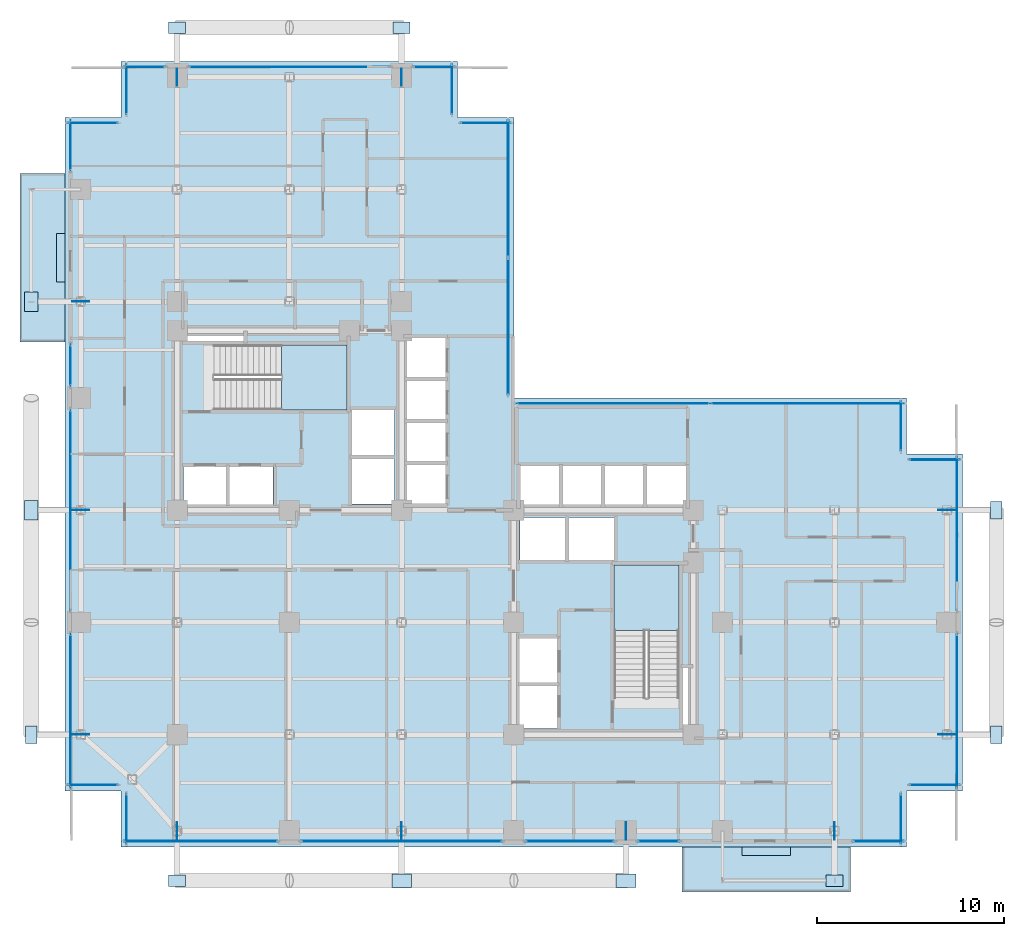
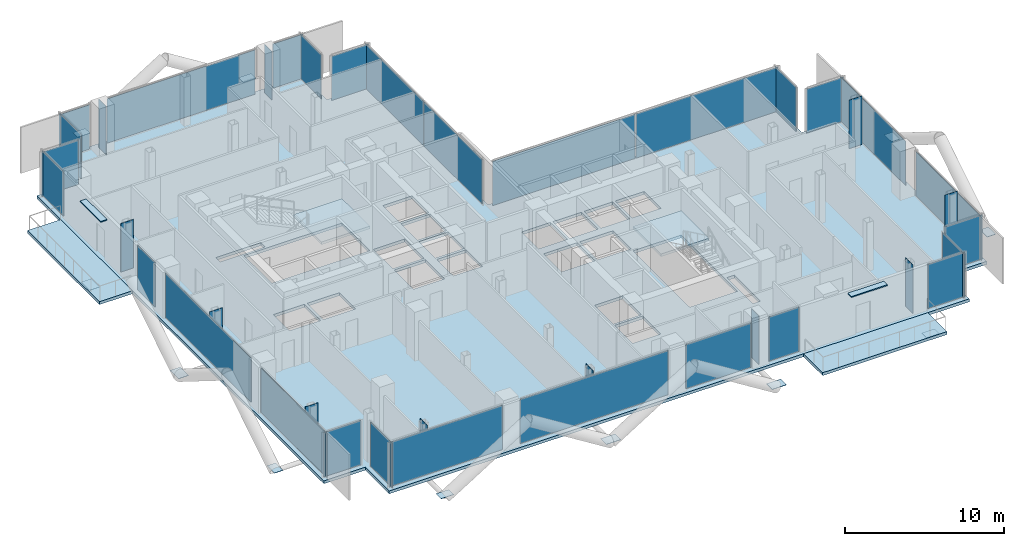
# One storey, part 18 of 28: 52 plates, 5 slabs, 28 elements without a shape of their own.
"""IFC4 building model written with IfcOpenShell, lengths in metres."""

from ifc_helpers import new_model, si_unit, direction, frame, origin, origin_2d, place, context, subcontext, project, spatial, polyline, rectangle, outline, extrude, material, layer, layer_set, type_object, element, aggregate, save


model = new_model("IFC4")

# Units and contexts
model_context = context("Model", 3, precision=1e-05, world=origin(), true_north=direction((0.0, 1.0)))
body_context = subcontext(model_context, "Body", "Model", "MODEL_VIEW")
ifc_project = project(units=[si_unit("LENGTHUNIT", "METRE"), si_unit("AREAUNIT", "SQUARE_METRE"), si_unit("VOLUMEUNIT", "CUBIC_METRE"), si_unit("PLANEANGLEUNIT", "RADIAN"), si_unit("MASSUNIT", "GRAM", prefix="KILO"), si_unit("THERMODYNAMICTEMPERATUREUNIT", "KELVIN"), si_unit("POWERUNIT", "WATT")], contexts=[model_context])

# Site, building, storey
site_placement = place(None, origin())
site = spatial("IfcSite", under=ifc_project, at=site_placement, CompositionType="ELEMENT")
building_placement = place(site_placement, origin())
building = spatial("IfcBuilding", under=site, at=building_placement, Name="Svarakhadi Broadcast Tower", CompositionType="ELEMENT")
storey_placement = place(building_placement, frame((0.0, 0.0, 103.35009765625)))
storey = spatial("IfcBuildingStorey", under=building, at=storey_placement, Name="L24", CompositionType="ELEMENT", Elevation=103.35009765625)

# Curtain wall, plate
ifc_material_1 = material(Name="Anodised Bronze Aluminium AA 6063-T6", Category="aluminium")
ifc_layer_1 = layer(ifc_material_1, 0.199951171875)
ifc_layer_set_1 = layer_set([ifc_layer_1], Name="Anodised Bronze Aluminium AA 6063-T6")
curtain_wall_type = type_object("IfcCurtainWallType", Name="CW_Sys_03", PredefinedType="NOTDEFINED", material=ifc_layer_set_1)
curtain_wall_1_placement = place(storey_placement, origin())
curtain_wall_1 = element("IfcCurtainWall", 1, at=curtain_wall_1_placement, inside=storey, type_object=curtain_wall_type, Name="L24 Unitised Facade Curtain Wall 01", PredefinedType="NOTDEFINED")
ifc_material_2 = material(Name="Double Low-E Laminated Acoustic Glass IGU 36 mm", Category="glass")
ifc_layer_2 = layer(ifc_material_2, 0.035888671875)
ifc_layer_set_2 = layer_set([ifc_layer_2], Name="Double Low-E Laminated Acoustic Glass IGU 36 mm")
plate_type_1 = type_object("IfcPlateType", Name="CW_Sys_03_Pnl", PredefinedType="CURTAIN_PANEL", material=ifc_layer_set_2)
plate_1_placement = place(storey_placement, frame((1.5, 3.300048828125, 0.06982421875), z_axis=(0.0, 0.0, 1.0), x_axis=(-1.0, 0.0, 0.0)))
plate_1 = element("IfcPlate", 2, at=plate_1_placement, type_object=plate_type_1, Name="CW-03 panel 1.1", PredefinedType="CURTAIN_PANEL", context=body_context, shape_type="SweptSolid", body=[
    extrude(rectangle(XDim=2.669921875, YDim=0.035888671875, at=origin_2d()), origin(), (0.0, 0.0, 1.0), 3.385009765625),
])
aggregate(curtain_wall_1, [plate_1])

curtain_wall_2_placement = place(storey_placement, origin())
curtain_wall_2 = element("IfcCurtainWall", 3, at=curtain_wall_2_placement, inside=storey, type_object=curtain_wall_type, Name="L24 West Curtain Wall 02 Bay 1", PredefinedType="NOTDEFINED")
plate_2_placement = place(storey_placement, frame((0.300048828125, 7.260009765625, 0.06982421875), z_axis=(0.0, 0.0, 1.0), x_axis=(0.0, 1.0, 0.0)))
plate_2 = element("IfcPlate", 4, at=plate_2_placement, type_object=plate_type_1, Name="CW-03 panel 1.1", PredefinedType="CURTAIN_PANEL", context=body_context, shape_type="SweptSolid", body=[
    extrude(rectangle(XDim=8.18994140625, YDim=0.035888671875, at=origin_2d()), origin(), (0.0, 0.0, 1.0), 3.385009765625),
])
aggregate(curtain_wall_2, [plate_2])

curtain_wall_3_placement = place(storey_placement, origin())
curtain_wall_3 = element("IfcCurtainWall", 5, at=curtain_wall_3_placement, inside=storey, type_object=curtain_wall_type, Name="L24 West Curtain Wall 02 Bay 2", PredefinedType="NOTDEFINED")
plate_3_placement = place(storey_placement, frame((0.300048828125, 18.0, 0.06982421875), z_axis=(0.0, 0.0, 1.0), x_axis=(0.0, 1.0, 0.0)))
plate_3 = element("IfcPlate", 6, at=plate_3_placement, type_object=plate_type_1, Name="CW-03 panel 1.1", PredefinedType="CURTAIN_PANEL", context=body_context, shape_type="SweptSolid", body=[
    extrude(rectangle(XDim=10.7099609375, YDim=0.035888671875, at=origin_2d()), origin(), (0.0, 0.0, 1.0), 3.385009765625),
])
aggregate(curtain_wall_3, [plate_3])

curtain_wall_4_placement = place(storey_placement, origin())
curtain_wall_4 = element("IfcCurtainWall", 7, at=curtain_wall_4_placement, inside=storey, type_object=curtain_wall_type, Name="L24 West Curtain Wall 02 Bay 3", PredefinedType="NOTDEFINED")
plate_4_placement = place(storey_placement, frame((0.300048828125, 25.739990234375, 0.06982421875), z_axis=(0.0, 0.0, 1.0), x_axis=(0.0, 1.0, 0.0)))
plate_4 = element("IfcPlate", 8, at=plate_4_placement, type_object=plate_type_1, Name="CW-03 panel 1.1", PredefinedType="CURTAIN_PANEL", context=body_context, shape_type="SweptSolid", body=[
    extrude(rectangle(XDim=2.18994140625, YDim=0.035888671875, at=origin_2d()), origin(), (0.0, 0.0, 1.0), 3.385009765625),
])
aggregate(curtain_wall_4, [plate_4])

curtain_wall_5_placement = place(storey_placement, origin())
curtain_wall_5 = element("IfcCurtainWall", 9, at=curtain_wall_5_placement, inside=storey, type_object=curtain_wall_type, Name="L24 West Curtain Wall 03", PredefinedType="NOTDEFINED")
plate_5_placement = place(storey_placement, frame((0.300048828125, 37.5, 0.06982421875), z_axis=(0.0, 0.0, 1.0), x_axis=(0.0, 1.0, 0.0)))
plate_5 = element("IfcPlate", 10, at=plate_5_placement, type_object=plate_type_1, Name="CW-03 panel 1.1", PredefinedType="CURTAIN_PANEL", context=body_context, shape_type="SweptSolid", body=[
    extrude(rectangle(XDim=2.669921875, YDim=0.035888671875, at=origin_2d()), origin(), (0.0, 0.0, 1.0), 3.385009765625),
])
aggregate(curtain_wall_5, [plate_5])

curtain_wall_6_placement = place(storey_placement, origin())
curtain_wall_6 = element("IfcCurtainWall", 11, at=curtain_wall_6_placement, inside=storey, type_object=curtain_wall_type, Name="L24 Unitised Facade Curtain Wall 04", PredefinedType="NOTDEFINED")
plate_6_placement = place(storey_placement, frame((1.5, 38.699951171875, 0.06982421875), z_axis=(0.0, 0.0, 1.0), x_axis=(1.0, 0.0, 0.0)))
plate_6 = element("IfcPlate", 12, at=plate_6_placement, type_object=plate_type_1, Name="CW-03 panel 1.1", PredefinedType="CURTAIN_PANEL", context=body_context, shape_type="SweptSolid", body=[
    extrude(rectangle(XDim=2.669921875, YDim=0.035888671875, at=origin_2d()), origin(), (0.0, 0.0, 1.0), 3.385009765625),
])
aggregate(curtain_wall_6, [plate_6])

curtain_wall_7_placement = place(storey_placement, origin())
curtain_wall_7 = element("IfcCurtainWall", 13, at=curtain_wall_7_placement, inside=storey, type_object=curtain_wall_type, Name="L24 Unitised Facade Curtain Wall 05", PredefinedType="NOTDEFINED")
plate_7_placement = place(storey_placement, frame((3.300048828125, 40.5, 0.06982421875), z_axis=(0.0, 0.0, 1.0), x_axis=(0.0, 1.0, 0.0)))
plate_7 = element("IfcPlate", 14, at=plate_7_placement, type_object=plate_type_1, Name="CW-03 panel 1.1", PredefinedType="CURTAIN_PANEL", context=body_context, shape_type="SweptSolid", body=[
    extrude(rectangle(XDim=2.669921875, YDim=0.035888671875, at=origin_2d()), origin(), (0.0, 0.0, 1.0), 3.385009765625),
])
aggregate(curtain_wall_7, [plate_7])

curtain_wall_8_placement = place(storey_placement, origin())
curtain_wall_8 = element("IfcCurtainWall", 15, at=curtain_wall_8_placement, inside=storey, type_object=curtain_wall_type, Name="L24 Unitised Facade Curtain Wall 06 Bay 1", PredefinedType="NOTDEFINED")
plate_8_placement = place(storey_placement, frame((4.260009765625, 41.699951171875, 0.06982421875), z_axis=(0.0, 0.0, 1.0), x_axis=(1.0, 0.0, 0.0)))
plate_8 = element("IfcPlate", 16, at=plate_8_placement, type_object=plate_type_1, Name="CW-03 panel 1.1", PredefinedType="CURTAIN_PANEL", context=body_context, shape_type="SweptSolid", body=[
    extrude(rectangle(XDim=2.18994140625, YDim=0.035888671875, at=origin_2d()), origin(), (0.0, 0.0, 1.0), 3.385009765625),
])
aggregate(curtain_wall_8, [plate_8])

curtain_wall_9_placement = place(storey_placement, origin())
curtain_wall_9 = element("IfcCurtainWall", 17, at=curtain_wall_9_placement, inside=storey, type_object=curtain_wall_type, Name="L24 Unitised Facade Curtain Wall 06 Bay 2", PredefinedType="NOTDEFINED")
plate_9_placement = place(storey_placement, frame((12.0, 41.699951171875, 0.06982421875), z_axis=(0.0, 0.0, 1.0), x_axis=(1.0, 0.0, 0.0)))
plate_9 = element("IfcPlate", 18, at=plate_9_placement, type_object=plate_type_1, Name="CW-03 panel 1.1", PredefinedType="CURTAIN_PANEL", context=body_context, shape_type="SweptSolid", body=[
    extrude(rectangle(XDim=10.7099609375, YDim=0.035888671875, at=origin_2d()), origin(), (0.0, 0.0, 1.0), 3.385009765625),
])
aggregate(curtain_wall_9, [plate_9])

curtain_wall_10_placement = place(storey_placement, origin())
curtain_wall_10 = element("IfcCurtainWall", 19, at=curtain_wall_10_placement, inside=storey, type_object=curtain_wall_type, Name="L24 Unitised Facade Curtain Wall 06 Bay 3", PredefinedType="NOTDEFINED")
plate_10_placement = place(storey_placement, frame((19.739990234375, 41.699951171875, 0.06982421875), z_axis=(0.0, 0.0, 1.0), x_axis=(1.0, 0.0, 0.0)))
plate_10 = element("IfcPlate", 20, at=plate_10_placement, type_object=plate_type_1, Name="CW-03 panel 1.1", PredefinedType="CURTAIN_PANEL", context=body_context, shape_type="SweptSolid", body=[
    extrude(rectangle(XDim=2.18994140625, YDim=0.035888671875, at=origin_2d()), origin(), (0.0, 0.0, 1.0), 3.385009765625),
])
aggregate(curtain_wall_10, [plate_10])

curtain_wall_11_placement = place(storey_placement, origin())
curtain_wall_11 = element("IfcCurtainWall", 21, at=curtain_wall_11_placement, inside=storey, type_object=curtain_wall_type, Name="L24 Unitised Facade Curtain Wall 07", PredefinedType="NOTDEFINED")
plate_11_placement = place(storey_placement, frame((20.699951171875, 40.5, 0.06982421875), z_axis=(0.0, 0.0, 1.0), x_axis=(0.0, -1.0, 0.0)))
plate_11 = element("IfcPlate", 22, at=plate_11_placement, type_object=plate_type_1, Name="CW-03 panel 1.1", PredefinedType="CURTAIN_PANEL", context=body_context, shape_type="SweptSolid", body=[
    extrude(rectangle(XDim=2.669921875, YDim=0.035888671875, at=origin_2d()), origin(), (0.0, 0.0, 1.0), 3.385009765625),
])
aggregate(curtain_wall_11, [plate_11])

curtain_wall_12_placement = place(storey_placement, origin())
curtain_wall_12 = element("IfcCurtainWall", 23, at=curtain_wall_12_placement, inside=storey, type_object=curtain_wall_type, Name="L24 Unitised Facade Curtain Wall 08", PredefinedType="NOTDEFINED")
plate_12_placement = place(storey_placement, frame((22.5, 38.699951171875, 0.06982421875), z_axis=(0.0, 0.0, 1.0), x_axis=(1.0, 0.0, 0.0)))
plate_12 = element("IfcPlate", 24, at=plate_12_placement, type_object=plate_type_1, Name="CW-03 panel 1.1", PredefinedType="CURTAIN_PANEL", context=body_context, shape_type="SweptSolid", body=[
    extrude(rectangle(XDim=2.669921875, YDim=0.035888671875, at=origin_2d()), origin(), (0.0, 0.0, 1.0), 3.385009765625),
])
aggregate(curtain_wall_12, [plate_12])

# Curtain wall, plates
curtain_wall_13_placement = place(storey_placement, origin())
curtain_wall_13 = element("IfcCurtainWall", 25, at=curtain_wall_13_placement, inside=storey, type_object=curtain_wall_type, Name="L24 Unitised Facade Curtain Wall 09", PredefinedType="NOTDEFINED")
plate_13_placement = place(storey_placement, frame((23.699951171875, 35.186279296875, 0.06982421875), z_axis=(0.0, 0.0, 1.0), x_axis=(0.0, -1.0, 0.0)))
plate_13 = element("IfcPlate", 26, at=plate_13_placement, type_object=plate_type_1, Name="CW-03 panel 1.1", PredefinedType="CURTAIN_PANEL", context=body_context, shape_type="SweptSolid", body=[
    extrude(rectangle(XDim=7.297607421875, YDim=0.035888671875, at=origin_2d()), origin(), (0.0, 0.0, 1.0), 3.385009765625),
])
plate_14_placement = place(storey_placement, frame((23.699951171875, 27.813720703125, 0.06982421875), z_axis=(0.0, 0.0, 1.0), x_axis=(0.0, -1.0, 0.0)))
plate_14 = element("IfcPlate", 27, at=plate_14_placement, type_object=plate_type_1, Name="CW-03 panel 2.1", PredefinedType="CURTAIN_PANEL", context=body_context, shape_type="SweptSolid", body=[
    extrude(rectangle(XDim=7.297607421875, YDim=0.035888671875, at=origin_2d()), origin(), (0.0, 0.0, 1.0), 3.385009765625),
])
aggregate(curtain_wall_13, [plate_13, plate_14])

curtain_wall_14_placement = place(storey_placement, origin())
curtain_wall_14 = element("IfcCurtainWall", 28, at=curtain_wall_14_placement, inside=storey, type_object=curtain_wall_type, Name="L24 Unitised Facade Curtain Wall 10", PredefinedType="NOTDEFINED")
plate_15_placement = place(storey_placement, frame((29.313720703125, 23.699951171875, 0.06982421875), z_axis=(0.0, 0.0, 1.0), x_axis=(1.0, 0.0, 0.0)))
plate_15 = element("IfcPlate", 29, at=plate_15_placement, type_object=plate_type_1, Name="CW-03 panel 1.1", PredefinedType="CURTAIN_PANEL", context=body_context, shape_type="SweptSolid", body=[
    extrude(rectangle(XDim=10.297607421875, YDim=0.035888671875, at=origin_2d()), origin(), (0.0, 0.0, 1.0), 3.385009765625),
])
plate_16_placement = place(storey_placement, frame((39.686279296875, 23.699951171875, 0.06982421875), z_axis=(0.0, 0.0, 1.0), x_axis=(1.0, 0.0, 0.0)))
plate_16 = element("IfcPlate", 30, at=plate_16_placement, type_object=plate_type_1, Name="CW-03 panel 2.1", PredefinedType="CURTAIN_PANEL", context=body_context, shape_type="SweptSolid", body=[
    extrude(rectangle(XDim=10.297607421875, YDim=0.035888671875, at=origin_2d()), origin(), (0.0, 0.0, 1.0), 3.385009765625),
])
aggregate(curtain_wall_14, [plate_15, plate_16])

# Curtain wall, plate
curtain_wall_15_placement = place(storey_placement, origin())
curtain_wall_15 = element("IfcCurtainWall", 31, at=curtain_wall_15_placement, inside=storey, type_object=curtain_wall_type, Name="L24 Unitised Facade Curtain Wall 11", PredefinedType="NOTDEFINED")
plate_17_placement = place(storey_placement, frame((44.699951171875, 22.5, 0.06982421875), z_axis=(0.0, 0.0, 1.0), x_axis=(0.0, -1.0, 0.0)))
plate_17 = element("IfcPlate", 32, at=plate_17_placement, type_object=plate_type_1, Name="CW-03 panel 1.1", PredefinedType="CURTAIN_PANEL", context=body_context, shape_type="SweptSolid", body=[
    extrude(rectangle(XDim=2.669921875, YDim=0.035888671875, at=origin_2d()), origin(), (0.0, 0.0, 1.0), 3.385009765625),
])
aggregate(curtain_wall_15, [plate_17])

curtain_wall_16_placement = place(storey_placement, origin())
curtain_wall_16 = element("IfcCurtainWall", 33, at=curtain_wall_16_placement, inside=storey, type_object=curtain_wall_type, Name="L24 Unitised Facade Curtain Wall 12", PredefinedType="NOTDEFINED")
plate_18_placement = place(storey_placement, frame((46.5, 20.699951171875, 0.06982421875), z_axis=(0.0, 0.0, 1.0), x_axis=(1.0, 0.0, 0.0)))
plate_18 = element("IfcPlate", 34, at=plate_18_placement, type_object=plate_type_1, Name="CW-03 panel 1.1", PredefinedType="CURTAIN_PANEL", context=body_context, shape_type="SweptSolid", body=[
    extrude(rectangle(XDim=2.669921875, YDim=0.035888671875, at=origin_2d()), origin(), (0.0, 0.0, 1.0), 3.385009765625),
])
aggregate(curtain_wall_16, [plate_18])

curtain_wall_17_placement = place(storey_placement, origin())
curtain_wall_17 = element("IfcCurtainWall", 35, at=curtain_wall_17_placement, inside=storey, type_object=curtain_wall_type, Name="L24 Unitised Facade Curtain Wall 13 Bay 1", PredefinedType="NOTDEFINED")
plate_19_placement = place(storey_placement, frame((47.699951171875, 16.739990234375, 0.06982421875), z_axis=(0.0, 0.0, 1.0), x_axis=(0.0, -1.0, 0.0)))
plate_19 = element("IfcPlate", 36, at=plate_19_placement, type_object=plate_type_1, Name="CW-03 panel 1.1", PredefinedType="CURTAIN_PANEL", context=body_context, shape_type="SweptSolid", body=[
    extrude(rectangle(XDim=8.18994140625, YDim=0.035888671875, at=origin_2d()), origin(), (0.0, 0.0, 1.0), 3.385009765625),
])
aggregate(curtain_wall_17, [plate_19])

curtain_wall_18_placement = place(storey_placement, origin())
curtain_wall_18 = element("IfcCurtainWall", 37, at=curtain_wall_18_placement, inside=storey, type_object=curtain_wall_type, Name="L24 Unitised Facade Curtain Wall 13 Bay 2", PredefinedType="NOTDEFINED")
plate_20_placement = place(storey_placement, frame((47.699951171875, 7.260009765625, 0.06982421875), z_axis=(0.0, 0.0, 1.0), x_axis=(0.0, -1.0, 0.0)))
plate_20 = element("IfcPlate", 38, at=plate_20_placement, type_object=plate_type_1, Name="CW-03 panel 1.1", PredefinedType="CURTAIN_PANEL", context=body_context, shape_type="SweptSolid", body=[
    extrude(rectangle(XDim=8.18994140625, YDim=0.035888671875, at=origin_2d()), origin(), (0.0, 0.0, 1.0), 3.385009765625),
])
aggregate(curtain_wall_18, [plate_20])

curtain_wall_19_placement = place(storey_placement, origin())
curtain_wall_19 = element("IfcCurtainWall", 39, at=curtain_wall_19_placement, inside=storey, type_object=curtain_wall_type, Name="L24 Unitised Facade Curtain Wall 14", PredefinedType="NOTDEFINED")
plate_21_placement = place(storey_placement, frame((46.5, 3.300048828125, 0.06982421875), z_axis=(0.0, 0.0, 1.0), x_axis=(-1.0, 0.0, 0.0)))
plate_21 = element("IfcPlate", 40, at=plate_21_placement, type_object=plate_type_1, Name="CW-03 panel 1.1", PredefinedType="CURTAIN_PANEL", context=body_context, shape_type="SweptSolid", body=[
    extrude(rectangle(XDim=2.669921875, YDim=0.035888671875, at=origin_2d()), origin(), (0.0, 0.0, 1.0), 3.385009765625),
])
aggregate(curtain_wall_19, [plate_21])

curtain_wall_20_placement = place(storey_placement, origin())
curtain_wall_20 = element("IfcCurtainWall", 41, at=curtain_wall_20_placement, inside=storey, type_object=curtain_wall_type, Name="L24 Unitised Facade Curtain Wall 15", PredefinedType="NOTDEFINED")
plate_22_placement = place(storey_placement, frame((44.699951171875, 1.5, 0.06982421875), z_axis=(0.0, 0.0, 1.0), x_axis=(0.0, -1.0, 0.0)))
plate_22 = element("IfcPlate", 42, at=plate_22_placement, type_object=plate_type_1, Name="CW-03 panel 1.1", PredefinedType="CURTAIN_PANEL", context=body_context, shape_type="SweptSolid", body=[
    extrude(rectangle(XDim=2.669921875, YDim=0.035888671875, at=origin_2d()), origin(), (0.0, 0.0, 1.0), 3.385009765625),
])
aggregate(curtain_wall_20, [plate_22])

curtain_wall_21_placement = place(storey_placement, origin())
curtain_wall_21 = element("IfcCurtainWall", 43, at=curtain_wall_21_placement, inside=storey, type_object=curtain_wall_type, Name="L24 South Curtain Wall 16", PredefinedType="NOTDEFINED")
plate_23_placement = place(storey_placement, frame((43.5, 0.300048828125, 0.06982421875), z_axis=(0.0, 0.0, 1.0), x_axis=(-1.0, 0.0, 0.0)))
plate_23 = element("IfcPlate", 44, at=plate_23_placement, type_object=plate_type_1, Name="CW-03 panel 1.1", PredefinedType="CURTAIN_PANEL", context=body_context, shape_type="SweptSolid", body=[
    extrude(rectangle(XDim=2.669921875, YDim=0.035888671875, at=origin_2d()), origin(), (0.0, 0.0, 1.0), 3.385009765625),
])
aggregate(curtain_wall_21, [plate_23])

curtain_wall_22_placement = place(storey_placement, origin())
curtain_wall_22 = element("IfcCurtainWall", 45, at=curtain_wall_22_placement, inside=storey, type_object=curtain_wall_type, Name="L24 South Curtain Wall 17 Bay 1", PredefinedType="NOTDEFINED")
plate_24_placement = place(storey_placement, frame((31.739990234375, 0.300048828125, 0.06982421875), z_axis=(0.0, 0.0, 1.0), x_axis=(-1.0, 0.0, 0.0)))
plate_24 = element("IfcPlate", 46, at=plate_24_placement, type_object=plate_type_1, Name="CW-03 panel 1.1", PredefinedType="CURTAIN_PANEL", context=body_context, shape_type="SweptSolid", body=[
    extrude(rectangle(XDim=2.18994140625, YDim=0.035888671875, at=origin_2d()), origin(), (0.0, 0.0, 1.0), 3.385009765625),
])
aggregate(curtain_wall_22, [plate_24])

curtain_wall_23_placement = place(storey_placement, origin())
curtain_wall_23 = element("IfcCurtainWall", 47, at=curtain_wall_23_placement, inside=storey, type_object=curtain_wall_type, Name="L24 South Curtain Wall 17 Bay 2", PredefinedType="NOTDEFINED")
plate_25_placement = place(storey_placement, frame((27.0, 0.300048828125, 0.06982421875), z_axis=(0.0, 0.0, 1.0), x_axis=(-1.0, 0.0, 0.0)))
plate_25 = element("IfcPlate", 48, at=plate_25_placement, type_object=plate_type_1, Name="CW-03 panel 1.1", PredefinedType="CURTAIN_PANEL", context=body_context, shape_type="SweptSolid", body=[
    extrude(rectangle(XDim=4.7099609375, YDim=0.035888671875, at=origin_2d()), origin(), (0.0, 0.0, 1.0), 3.385009765625),
])
aggregate(curtain_wall_23, [plate_25])

curtain_wall_24_placement = place(storey_placement, origin())
curtain_wall_24 = element("IfcCurtainWall", 49, at=curtain_wall_24_placement, inside=storey, type_object=curtain_wall_type, Name="L24 South Curtain Wall 17 Bay 3", PredefinedType="NOTDEFINED")
plate_26_placement = place(storey_placement, frame((18.0, 0.300048828125, 0.06982421875), z_axis=(0.0, 0.0, 1.0), x_axis=(-1.0, 0.0, 0.0)))
plate_26 = element("IfcPlate", 50, at=plate_26_placement, type_object=plate_type_1, Name="CW-03 panel 1.1", PredefinedType="CURTAIN_PANEL", context=body_context, shape_type="SweptSolid", body=[
    extrude(rectangle(XDim=10.7099609375, YDim=0.035888671875, at=origin_2d()), origin(), (0.0, 0.0, 1.0), 3.385009765625),
])
aggregate(curtain_wall_24, [plate_26])

curtain_wall_25_placement = place(storey_placement, origin())
curtain_wall_25 = element("IfcCurtainWall", 51, at=curtain_wall_25_placement, inside=storey, type_object=curtain_wall_type, Name="L24 South Curtain Wall 17 Bay 4", PredefinedType="NOTDEFINED")
plate_27_placement = place(storey_placement, frame((7.260009765625, 0.300048828125, 0.06982421875), z_axis=(0.0, 0.0, 1.0), x_axis=(-1.0, 0.0, 0.0)))
plate_27 = element("IfcPlate", 52, at=plate_27_placement, type_object=plate_type_1, Name="CW-03 panel 1.1", PredefinedType="CURTAIN_PANEL", context=body_context, shape_type="SweptSolid", body=[
    extrude(rectangle(XDim=8.18994140625, YDim=0.035888671875, at=origin_2d()), origin(), (0.0, 0.0, 1.0), 3.385009765625),
])
aggregate(curtain_wall_25, [plate_27])

curtain_wall_26_placement = place(storey_placement, origin())
curtain_wall_26 = element("IfcCurtainWall", 53, at=curtain_wall_26_placement, inside=storey, type_object=curtain_wall_type, Name="L24 Unitised Facade Curtain Wall 18", PredefinedType="NOTDEFINED")
plate_28_placement = place(storey_placement, frame((3.300048828125, 1.5, 0.06982421875), z_axis=(0.0, 0.0, 1.0), x_axis=(0.0, 1.0, 0.0)))
plate_28 = element("IfcPlate", 54, at=plate_28_placement, type_object=plate_type_1, Name="CW-03 panel 1.1", PredefinedType="CURTAIN_PANEL", context=body_context, shape_type="SweptSolid", body=[
    extrude(rectangle(XDim=2.669921875, YDim=0.035888671875, at=origin_2d()), origin(), (0.0, 0.0, 1.0), 3.385009765625),
])
aggregate(curtain_wall_26, [plate_28])

# Plates
ifc_material_3 = material(Name="Steel S460ML (IS 2062 E450BR)", Category="steel")
ifc_layer_3 = layer(ifc_material_3, 0.031982421875)
ifc_layer_set_3 = layer_set([ifc_layer_3], Name="Steel S460ML (IS 2062 E450BR)")
plate_type_2 = type_object("IfcPlateType", Name="Node_Gusset_N02", PredefinedType="SHEET", material=ifc_layer_set_3)
for number, where, z_axis, x_axis, name in (
    (55, (18.0, -1.800048828125, -0.22509765625), (0.0, 0.0, 1.0), (1.0, 0.0, 0.0), "L24 Exoskeleton Gusset Node Plate S02"),
    (56, (30.0, -1.800048828125, -0.22509765625), (0.0, 0.0, 1.0), (1.0, 0.0, 0.0), "L24 Exoskeleton Gusset Node Plate S03"),
    (57, (-1.800048828125, 18.0, -0.22509765625), (0.0, 0.0, 1.0), (0.0, 1.0, 0.0), "L24 Exoskeleton Gusset Node Plate W06"),
    (58, (-1.800048828125, 29.14990234375, -0.22509765625), (0.0, 0.0, 1.0), (0.0, 1.0, 0.0), "L24 Exoskeleton Gusset Node Plate W07"),
):
    element("IfcPlate", number, at=place(storey_placement, frame(where, z_axis=z_axis, x_axis=x_axis)), inside=storey, type_object=plate_type_2, Name=name, PredefinedType="SHEET", context=body_context, shape_type="SweptSolid", body=[
        extrude(rectangle(XDim=1.050048828125, YDim=0.719970703125, at=origin_2d()), origin(), (0.0, 0.0, 1.0), 0.031982421875),
    ])
ifc_layer_4 = layer(ifc_material_3, 0.02587890625)
ifc_layer_set_4 = layer_set([ifc_layer_4], Name="Steel S460ML (IS 2062 E450BR)")
plate_type_3 = type_object("IfcPlateType", Name="Node_Gusset_N07", PredefinedType="SHEET", material=ifc_layer_set_4)
for number, where, z_axis, x_axis, name in (
    (59, (6.0, -1.800048828125, -0.22509765625), (0.0, 0.0, 1.0), (1.0, 0.0, 0.0), "L24 Exoskeleton Gusset Node Plate S01"),
    (60, (41.14990234375, -1.800048828125, -0.22509765625), (0.0, 0.0, 1.0), (1.0, 0.0, 0.0), "L24 Exoskeleton Gusset Node Plate S04"),
    (61, (-1.800048828125, 6.0, -0.22509765625), (0.0, 0.0, 1.0), (0.0, 1.0, 0.0), "L24 Exoskeleton Gusset Node Plate W05"),
    (62, (49.800048828125, 6.0, -0.22509765625), (0.0, 0.0, 1.0), (0.0, 1.0, 0.0), "L24 Exoskeleton Gusset Node Plate E08"),
    (63, (49.800048828125, 18.0, -0.22509765625), (0.0, 0.0, 1.0), (0.0, 1.0, 0.0), "L24 Exoskeleton Gusset Node Plate E09"),
    (64, (6.0, 43.800048828125, -0.22509765625), (0.0, 0.0, 1.0), (1.0, 0.0, 0.0), "L24 Exoskeleton Gusset Node Plate N10"),
    (65, (18.0, 43.800048828125, -0.22509765625), (0.0, 0.0, 1.0), (1.0, 0.0, 0.0), "L24 Exoskeleton Gusset Node Plate N11"),
):
    element("IfcPlate", number, at=place(storey_placement, frame(where, z_axis=z_axis, x_axis=x_axis)), inside=storey, type_object=plate_type_3, Name=name, PredefinedType="SHEET", context=body_context, shape_type="SweptSolid", body=[
        extrude(rectangle(XDim=0.919921875, YDim=0.6201171875, at=origin_2d()), origin(), (0.0, 0.0, 1.0), 0.02587890625),
    ])
for number, where, z_axis, x_axis, name in (
    (66, (6.0, 0.85009765625, -0.5869140625), (0.0, 0.0, 1.0), (0.0, 1.0, 0.0), "L24 Brace End Connection Gusset Plate N-07-E0191"),
    (67, (18.0, 0.85009765625, -0.5869140625), (0.0, 0.0, 1.0), (0.0, 1.0, 0.0), "L24 Brace End Connection Gusset Plate N-07-E0192"),
    (68, (30.0, 0.85009765625, -0.5869140625), (0.0, 0.0, 1.0), (0.0, 1.0, 0.0), "L24 Brace End Connection Gusset Plate N-07-E0193"),
    (69, (41.14990234375, 0.85009765625, -0.5869140625), (0.0, 0.0, 1.0), (0.0, 1.0, 0.0), "L24 Brace End Connection Gusset Plate N-07-E0194"),
    (70, (0.85009765625, 6.0, -0.5869140625), (0.0, 0.0, 1.0), (1.0, 0.0, 0.0), "L24 Brace End Connection Gusset Plate N-07-E0195"),
    (71, (0.85009765625, 18.0, -0.5869140625), (0.0, 0.0, 1.0), (1.0, 0.0, 0.0), "L24 Brace End Connection Gusset Plate N-07-E0196"),
    (72, (0.85009765625, 29.14990234375, -0.5869140625), (0.0, 0.0, 1.0), (1.0, 0.0, 0.0), "L24 Brace End Connection Gusset Plate N-07-E0197"),
    (73, (47.14990234375, 6.0, -0.5869140625), (0.0, 0.0, 1.0), (1.0, 0.0, 0.0), "L24 Brace End Connection Gusset Plate N-07-E0198"),
    (74, (47.14990234375, 18.0, -0.5869140625), (0.0, 0.0, 1.0), (1.0, 0.0, 0.0), "L24 Brace End Connection Gusset Plate N-07-E0199"),
    (75, (6.0, 41.14990234375, -0.5869140625), (0.0, 0.0, 1.0), (0.0, 1.0, 0.0), "L24 Brace End Connection Gusset Plate N-07-E0200"),
    (76, (18.0, 41.14990234375, -0.5869140625), (0.0, 0.0, 1.0), (0.0, 1.0, 0.0), "L24 Brace End Connection Gusset Plate N-07-E0201"),
):
    element("IfcPlate", number, at=place(storey_placement, frame(where, z_axis=z_axis, x_axis=x_axis)), inside=storey, type_object=plate_type_3, Name=name, PredefinedType="SHEET", context=body_context, shape_type="SweptSolid", body=[
        extrude(rectangle(XDim=0.919921875, YDim=0.02587890625, at=origin_2d()), origin(), (0.0, 0.0, 1.0), 4.300048828125),
    ])

# Slab
ifc_material_4 = material(Name="Concrete C40/50 (IS 456 M50)", Category="concrete")
ifc_layer_5 = layer(ifc_material_4, 0.22509765625)
ifc_layer_set_5 = layer_set([ifc_layer_5], Name="Concrete C40/50 (IS 456 M50)")
slab_type_1 = type_object("IfcSlabType", Name="Slab_Floor_225", PredefinedType="FLOOR", material=ifc_layer_set_5)
slab_1_placement = place(storey_placement, frame((0.0, 0.0, -0.22509765625)))
element("IfcSlab", 77, at=slab_1_placement, inside=storey, type_object=slab_type_1, Name="L24 Structural Floor Slab", PredefinedType="FLOOR", context=body_context, shape_type="SweptSolid", body=[
    extrude(outline(polyline([(3.0, 0.0), (45.0, 0.0), (45.0, 3.0), (48.0, 3.0), (48.0, 21.0), (45.0, 21.0), (45.0, 24.0), (24.0, 24.0), (24.0, 39.0), (21.0, 39.0), (21.0, 42.0), (3.0, 42.0), (3.0, 39.0), (0.0, 39.0), (0.0, 3.0), (3.0, 3.0), (3.0, 0.0)]), holes=[polyline([(7.97998046875, 23.360107421875), (15.080078125, 23.360107421875), (15.080078125, 26.840087890625), (7.97998046875, 26.840087890625), (7.97998046875, 23.360107421875)]), polyline([(32.840087890625, 7.97998046875), (32.840087890625, 15.080078125), (29.360107421875, 15.080078125), (29.360107421875, 7.97998046875), (32.840087890625, 7.97998046875)]), polyline([(6.340087890625, 18.2900390625), (8.610107421875, 18.2900390625), (8.610107421875, 20.330078125), (6.340087890625, 20.330078125), (6.340087890625, 18.2900390625)]), polyline([(8.7900390625, 18.2900390625), (11.1298828125, 18.2900390625), (11.1298828125, 20.330078125), (8.7900390625, 20.330078125), (8.7900390625, 18.2900390625)]), polyline([(24.2900390625, 6.340087890625), (26.330078125, 6.340087890625), (26.330078125, 8.610107421875), (24.2900390625, 8.610107421875), (24.2900390625, 6.340087890625)]), polyline([(24.2900390625, 8.7900390625), (26.330078125, 8.7900390625), (26.330078125, 11.1298828125), (24.2900390625, 11.1298828125), (24.2900390625, 8.7900390625)]), polyline([(6.340087890625, 26.989990234375), (9.610107421875, 26.989990234375), (9.610107421875, 27.530029296875), (6.340087890625, 27.530029296875), (6.340087890625, 26.989990234375)]), polyline([(32.989990234375, 6.340087890625), (33.530029296875, 6.340087890625), (33.530029296875, 9.610107421875), (32.989990234375, 9.610107421875), (32.989990234375, 6.340087890625)]), polyline([(15.340087890625, 18.340087890625), (17.610107421875, 18.340087890625), (17.610107421875, 20.760009765625), (15.340087890625, 20.760009765625), (15.340087890625, 18.340087890625)]), polyline([(15.340087890625, 20.93994140625), (17.610107421875, 20.93994140625), (17.610107421875, 23.360107421875), (15.340087890625, 23.360107421875), (15.340087890625, 20.93994140625)]), polyline([(24.340087890625, 15.340087890625), (26.760009765625, 15.340087890625), (26.760009765625, 17.610107421875), (24.340087890625, 17.610107421875), (24.340087890625, 15.340087890625)]), polyline([(26.93994140625, 15.340087890625), (29.360107421875, 15.340087890625), (29.360107421875, 17.610107421875), (26.93994140625, 17.610107421875), (26.93994140625, 15.340087890625)]), polyline([(18.239990234375, 18.340087890625), (20.360107421875, 18.340087890625), (20.360107421875, 20.429931640625), (18.239990234375, 20.429931640625), (18.239990234375, 18.340087890625)]), polyline([(18.239990234375, 20.610107421875), (20.360107421875, 20.610107421875), (20.360107421875, 22.679931640625), (18.239990234375, 22.679931640625), (18.239990234375, 20.610107421875)]), polyline([(18.239990234375, 22.860107421875), (20.360107421875, 22.860107421875), (20.360107421875, 24.929931640625), (18.239990234375, 24.929931640625), (18.239990234375, 22.860107421875)]), polyline([(18.239990234375, 25.110107421875), (20.360107421875, 25.110107421875), (20.360107421875, 27.2099609375), (18.239990234375, 27.2099609375), (18.239990234375, 25.110107421875)]), polyline([(24.340087890625, 18.239990234375), (26.429931640625, 18.239990234375), (26.429931640625, 20.360107421875), (24.340087890625, 20.360107421875), (24.340087890625, 18.239990234375)]), polyline([(26.610107421875, 18.239990234375), (28.679931640625, 18.239990234375), (28.679931640625, 20.360107421875), (26.610107421875, 20.360107421875), (26.610107421875, 18.239990234375)]), polyline([(28.860107421875, 18.239990234375), (30.929931640625, 18.239990234375), (30.929931640625, 20.360107421875), (28.860107421875, 20.360107421875), (28.860107421875, 18.239990234375)]), polyline([(31.110107421875, 18.239990234375), (33.2099609375, 18.239990234375), (33.2099609375, 20.360107421875), (31.110107421875, 20.360107421875), (31.110107421875, 18.239990234375)])]), origin(), (0.0, 0.0, 1.0), 0.22509765625),
])

# Stair, slab
stair_type = type_object("IfcStairType", Name="Stair_Exit_Core", PredefinedType="HALF_TURN_STAIR", material=ifc_material_4)
stair_1_placement = place(storey_placement, origin())
stair_1 = element("IfcStair", 78, at=stair_1_placement, inside=storey, type_object=stair_type, Name="L24 West Core Protected Exit Stair ST-01", PredefinedType="HALF_TURN_STAIR")
ifc_layer_6 = layer(ifc_material_4, 0.199951171875)
ifc_layer_set_6 = layer_set([ifc_layer_6], Name="Concrete C40/50 (IS 456 M50)")
slab_type_2 = type_object("IfcSlabType", Name="Slab_Stair_Land", PredefinedType="LANDING", material=ifc_layer_set_6)
slab_2_placement = place(storey_placement, frame((0.0, 0.0, 1.6748046875)))
slab_2 = element("IfcSlab", 79, at=slab_2_placement, type_object=slab_type_2, Name="ST-01 landing 1", PredefinedType="LANDING", context=body_context, shape_type="SweptSolid", body=[
    extrude(outline(polyline([(11.580078125, 23.360107421875), (15.080078125, 23.360107421875), (15.080078125, 26.840087890625), (11.580078125, 26.840087890625), (11.580078125, 23.360107421875)])), origin(), (0.0, 0.0, 1.0), 0.2001953125),
])
aggregate(stair_1, [slab_2])

stair_2_placement = place(storey_placement, origin())
stair_2 = element("IfcStair", 80, at=stair_2_placement, inside=storey, type_object=stair_type, Name="L24 East Core Protected Exit Stair ST-02", PredefinedType="HALF_TURN_STAIR")
slab_3_placement = place(storey_placement, frame((0.0, 0.0, 1.6748046875)))
slab_3 = element("IfcSlab", 81, at=slab_3_placement, type_object=slab_type_2, Name="ST-02 landing 1", PredefinedType="LANDING", context=body_context, shape_type="SweptSolid", body=[
    extrude(outline(polyline([(32.840087890625, 11.580078125), (32.840087890625, 15.080078125), (29.360107421875, 15.080078125), (29.360107421875, 11.580078125), (32.840087890625, 11.580078125)])), origin(), (0.0, 0.0, 1.0), 0.2001953125),
])
aggregate(stair_2, [slab_3])

# Slabs
ifc_layer_7 = layer(ifc_material_4, 0.22509765625)
ifc_layer_set_7 = layer_set([ifc_layer_7], Name="Concrete C40/50 (IS 456 M50)")
slab_type_3 = type_object("IfcSlabType", Name="Slab_TreeBalcony", PredefinedType="FLOOR", material=ifc_layer_set_7)
slab_4_placement = place(storey_placement, frame((0.0, 0.0, -0.22509765625)))
element("IfcSlab", 82, at=slab_4_placement, inside=storey, type_object=slab_type_3, Name="L24 Planted Tree Balcony Slab BAL-E", PredefinedType="FLOOR", context=body_context, shape_type="SweptSolid", body=[
    extrude(outline(polyline([(33.0, -2.39990234375), (42.0, -2.39990234375), (42.0, 0.0), (33.0, 0.0), (33.0, -2.39990234375)])), origin(), (0.0, 0.0, 1.0), 0.22509765625),
])
slab_5_placement = place(storey_placement, frame((0.0, 0.0, -0.22509765625)))
element("IfcSlab", 83, at=slab_5_placement, inside=storey, type_object=slab_type_3, Name="L24 Planted Tree Balcony Slab BAL-N", PredefinedType="FLOOR", context=body_context, shape_type="SweptSolid", body=[
    extrude(outline(polyline([(-2.39990234375, 27.0), (0.0, 27.0), (0.0, 36.0), (-2.39990234375, 36.0), (-2.39990234375, 27.0)])), origin(), (0.0, 0.0, 1.0), 0.22509765625),
])

# Plates
ifc_layer_8 = layer(ifc_material_1, 0.080078125)
ifc_layer_set_8 = layer_set([ifc_layer_8], Name="Anodised Bronze Aluminium AA 6063-T6")
plate_type_4 = type_object("IfcPlateType", Name="Sunshade_Fin_SS01", PredefinedType="USERDEFINED", material=ifc_layer_set_8)
for number, where, z_axis, x_axis, name in (
    (84, (37.5, -0.22509765625, 3.44482421875), (0.0, 0.0, 1.0), (1.0, 0.0, 0.0), "L24 South Bronze Brise-Soleil Sunshade SS-01"),
    (85, (-0.22509765625, 31.5, 3.44482421875), (0.0, 0.0, 1.0), (0.0, 1.0, 0.0), "L24 West Bronze Brise-Soleil Sunshade SS-01"),
):
    element("IfcPlate", number, at=place(storey_placement, frame(where, z_axis=z_axis, x_axis=x_axis)), inside=storey, type_object=plate_type_4, Name=name, ObjectType="SUNSHADE", PredefinedType="USERDEFINED", context=body_context, shape_type="SweptSolid", body=[
        extrude(rectangle(XDim=2.60009765625, YDim=0.449951171875, at=origin_2d()), origin(), (0.0, 0.0, 1.0), 0.080078125),
    ])

save(model, "model.ifc")
